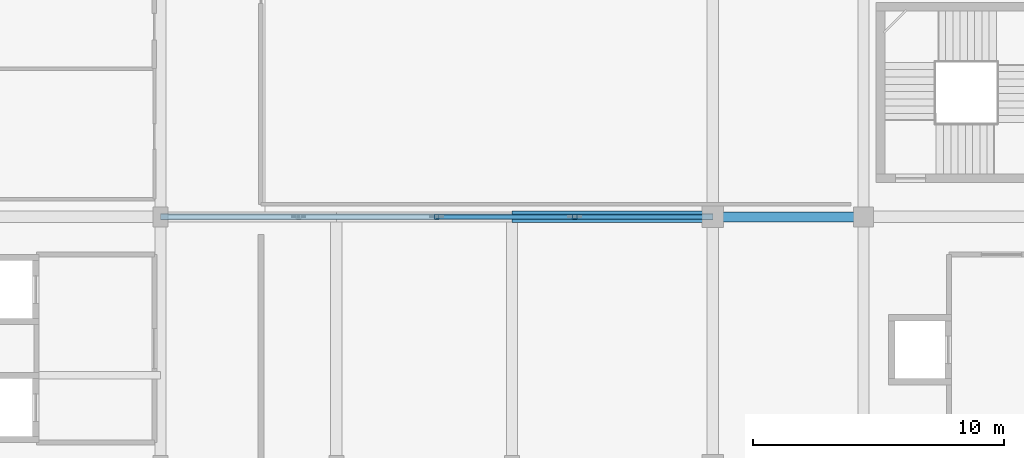
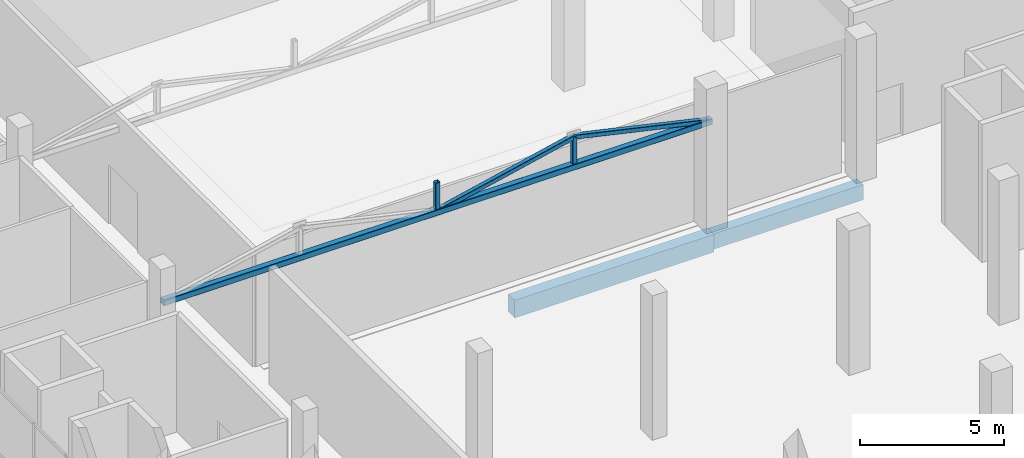
# One storey, part 7 of 46: 5 members, 2 beams.
"""IFC4 building model written with IfcOpenShell, lengths in metres."""

from ifc_helpers import new_model, si_unit, direction, frame, origin, origin_2d, place, context, subcontext, project, spatial, rectangle, hollow_rectangle, extrude, material, material_profile, profile_set, type_object, element, save


model = new_model("IFC4")

# Units and contexts
model_context = context("Model", 3, precision=1e-05, world=origin(), true_north=direction((0.0, 1.0)))
body_context = subcontext(model_context, "Body", "Model", "MODEL_VIEW")
ifc_project = project(units=[si_unit("LENGTHUNIT", "METRE"), si_unit("AREAUNIT", "SQUARE_METRE"), si_unit("VOLUMEUNIT", "CUBIC_METRE"), si_unit("PLANEANGLEUNIT", "RADIAN"), si_unit("MASSUNIT", "GRAM", prefix="KILO")], contexts=[model_context])

# Site, building, storey
site_placement = place(None, origin())
site = spatial("IfcSite", under=ifc_project, at=site_placement, CompositionType="ELEMENT")
building_placement = place(site_placement, origin())
building = spatial("IfcBuilding", under=site, at=building_placement, Name="Sillaruma Civic Art Gallery", CompositionType="ELEMENT")
storey_placement = place(building_placement, frame((0.0, 0.0, 16.320068359375)))
storey = spatial("IfcBuildingStorey", under=building, at=storey_placement, Name="L03", CompositionType="ELEMENT", Elevation=16.320068359375)

# Beams
ifc_material_1 = material(Name="Concrete H35 (35 MPa)", Category="concrete")
ifc_material_profile_1 = material_profile(ifc_material_1, rectangle(XDim=0.39990234375, YDim=0.64990234375, at=origin_2d()), Name="RCB400x650")
ifc_profile_set_1 = profile_set([ifc_material_profile_1], Name="Concrete H35 (35 MPa)")
beam_type_1 = type_object("IfcBeamType", Name="BM-BEAM-RCB400x650", PredefinedType="BEAM", material=ifc_profile_set_1)
beam_1_placement = place(storey_placement, frame((92.0, 49.5, -0.60498046875), z_axis=(1.0, 0.0, 0.0), x_axis=(0.0, 1.0, 0.0)))
element("IfcBeam", 1, at=beam_1_placement, inside=storey, type_object=beam_type_1, Name="Beam BM-05 (L02:6:K-L)", PredefinedType="BEAM", context=body_context, shape_type="SweptSolid", body=[
    extrude(rectangle(XDim=0.39990234375, YDim=0.64990234375, at=origin_2d()), origin(), (0.0, 0.0, 1.0), 6.0),
])
ifc_material_2 = material(Name="Concrete H40 (40 MPa)", Category="concrete")
ifc_material_profile_2 = material_profile(ifc_material_2, rectangle(XDim=0.449951171875, YDim=0.75, at=origin_2d()), Name="RCB450x750")
ifc_profile_set_2 = profile_set([ifc_material_profile_2], Name="Concrete H40 (40 MPa)")
beam_type_2 = type_object("IfcBeamType", Name="BM-BEAM-RCB450x750", PredefinedType="BEAM", material=ifc_profile_set_2)
beam_2_placement = place(storey_placement, frame((84.0, 49.5, -0.655029296875), z_axis=(1.0, 0.0, 0.0), x_axis=(0.0, 1.0, 0.0)))
element("IfcBeam", 2, at=beam_2_placement, inside=storey, type_object=beam_type_2, Name="Beam BM-03 (L02:6:J-K)", PredefinedType="BEAM", context=body_context, shape_type="SweptSolid", body=[
    extrude(rectangle(XDim=0.449951171875, YDim=0.75, at=origin_2d()), origin(), (0.0, 0.0, 1.0), 8.0),
])

# Members
ifc_material_3 = material(Name="Structural Steel ASTM A500 Gr.C", Category="steel")
ifc_material_profile_3 = material_profile(ifc_material_3, hollow_rectangle(XDim=0.179931640625, YDim=0.179931640625, WallThickness=0.010009765625, InnerFilletRadius=0.010009765625, OuterFilletRadius=0.02001953125, at=origin_2d()), Name="HSS180x180x10")
ifc_profile_set_3 = profile_set([ifc_material_profile_3], Name="Structural Steel ASTM A500 Gr.C")
member_type_1 = type_object("IfcMemberType", Name="MEM-BRACE-HSS180x180x10", PredefinedType="BRACE", material=ifc_profile_set_3)
for number, where, z_axis, x_axis, name in (
    (3, (81.0, 49.5, 4.434814453125), (0.975552224414, 0.0, 0.219767735214), (0.0, 1.0, 0.0), "Warren Truss Diagonal TR-L03-1-D3"),
    (4, (86.5, 49.5, 5.673828125), (0.975552224414, 0.0, -0.219767735214), (0.0, 1.0, 0.0), "Warren Truss Diagonal TR-L03-1-D4"),
):
    element("IfcMember", number, at=place(storey_placement, frame(where, z_axis=z_axis, x_axis=x_axis)), inside=storey, type_object=member_type_1, Name=name, PredefinedType="BRACE", context=body_context, shape_type="SweptSolid", body=[
        extrude(hollow_rectangle(XDim=0.179931640625, YDim=0.179931640625, WallThickness=0.010009765625, InnerFilletRadius=0.010009765625, OuterFilletRadius=0.02001953125, at=origin_2d()), origin(), (0.0, 0.0, 1.0), 5.637939453125),
    ])
ifc_material_profile_4 = material_profile(ifc_material_3, hollow_rectangle(XDim=0.25, YDim=0.25, WallThickness=0.012451171875, InnerFilletRadius=0.012451171875, OuterFilletRadius=0.02490234375, at=origin_2d()), Name="HSS250x250x12.5")
ifc_profile_set_4 = profile_set([ifc_material_profile_4], Name="Structural Steel ASTM A500 Gr.C")
member_type_2 = type_object("IfcMemberType", Name="MEM-CHORD-HSS250x250x12.5", PredefinedType="CHORD", material=ifc_profile_set_4)
member_placement = place(storey_placement, frame((70.0, 49.5, 4.434814453125), z_axis=(1.0, 0.0, 0.0), x_axis=(0.0, 1.0, 0.0)))
element("IfcMember", 5, at=member_placement, inside=storey, type_object=member_type_2, Name="Warren Truss Bottom Chord TR-L03-1", PredefinedType="CHORD", context=body_context, shape_type="SweptSolid", body=[
    extrude(hollow_rectangle(XDim=0.25, YDim=0.25, WallThickness=0.012451171875, InnerFilletRadius=0.012451171875, OuterFilletRadius=0.02490234375, at=origin_2d()), origin(), (0.0, 0.0, 1.0), 22.0),
])
ifc_material_profile_5 = material_profile(ifc_material_3, hollow_rectangle(XDim=0.179931640625, YDim=0.179931640625, WallThickness=0.010009765625, InnerFilletRadius=0.010009765625, OuterFilletRadius=0.02001953125, at=origin_2d()), Name="HSS180x180x10")
ifc_profile_set_5 = profile_set([ifc_material_profile_5], Name="Structural Steel ASTM A500 Gr.C")
member_type_3 = type_object("IfcMemberType", Name="MEM-POST-HSS180x180x10", PredefinedType="POST", material=ifc_profile_set_5)
for number, where, z_axis, x_axis, name in (
    (6, (81.0, 49.5, 4.434814453125), (0.0, 0.0, 1.0), (1.0, 0.0, 0.0), "Warren Truss Vertical Post TR-L03-1-V2"),
    (7, (86.5, 49.5, 4.434814453125), (0.0, 0.0, 1.0), (1.0, 0.0, 0.0), "Warren Truss Vertical Post TR-L03-1-V3"),
):
    element("IfcMember", number, at=place(storey_placement, frame(where, z_axis=z_axis, x_axis=x_axis)), inside=storey, type_object=member_type_3, Name=name, PredefinedType="POST", context=body_context, shape_type="SweptSolid", body=[
        extrude(hollow_rectangle(XDim=0.179931640625, YDim=0.179931640625, WallThickness=0.010009765625, InnerFilletRadius=0.010009765625, OuterFilletRadius=0.02001953125, at=origin_2d()), origin(), (0.0, 0.0, 1.0), 1.239013671875),
    ])

save(model, "model.ifc")
